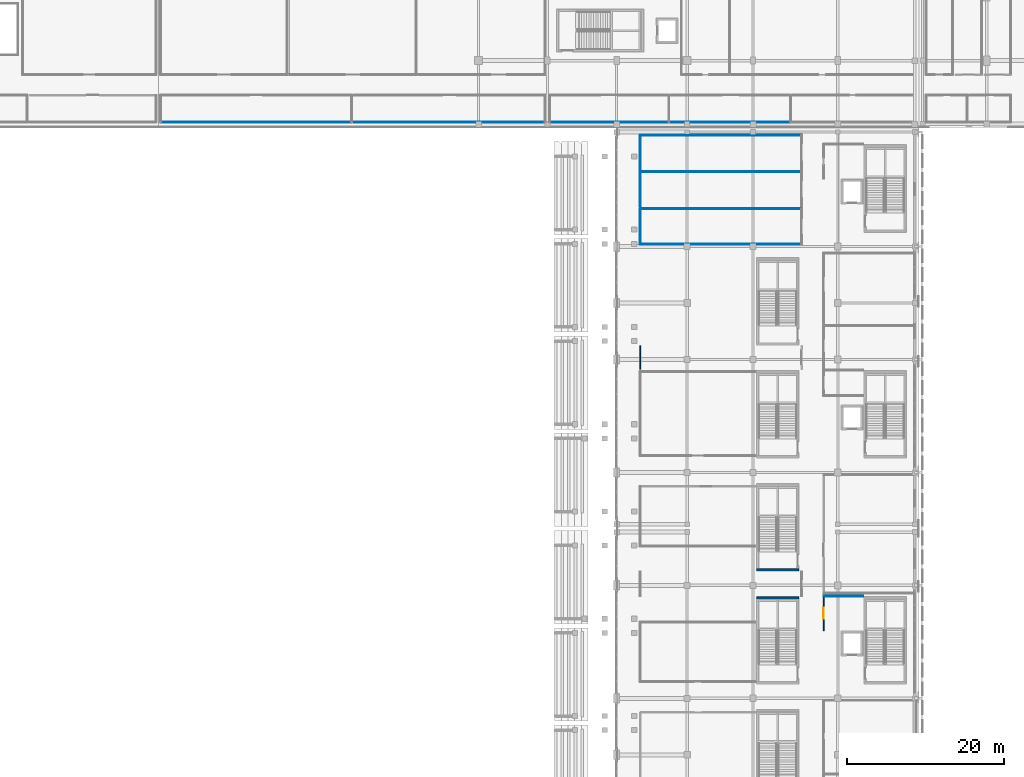
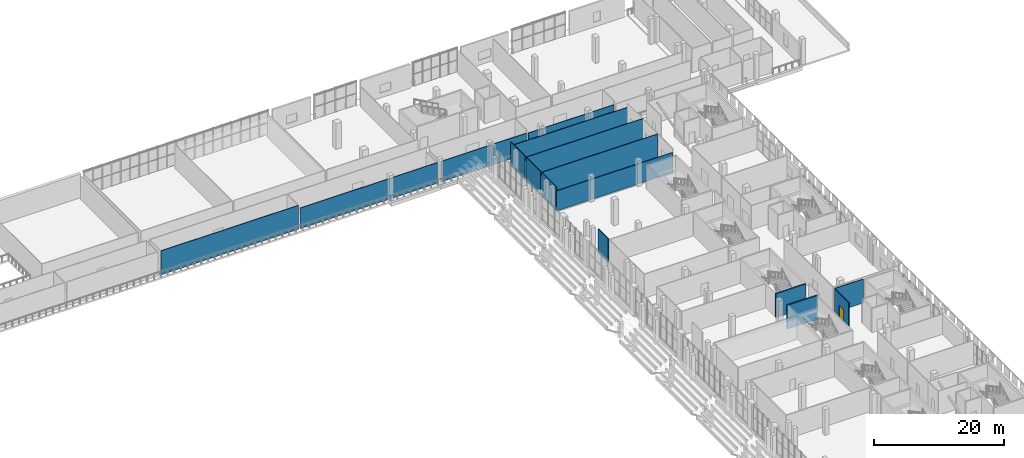
# One storey, part 99 of 142: 16 walls, 1 door, 1 opening.
"""IFC4 building model written with IfcOpenShell, lengths in metres."""

import ifcopenshell
import ifcopenshell.guid

model = None  # the IFC model being written
_history = None  # IfcOwnerHistory: only IFC2X3 demands one
_inside = {}  # id of a spatial element -> (the spatial element, [elements in it])
_under = {}  # id of a project, library or spatial element -> (it, [spatial elements below it])
_declared = {}  # id of a project -> (the project, [libraries it declares])
_typed = {}  # id of a type object -> (the type object, [elements of that type])
_made_of = {}  # id of a material, layer set ... -> (it, [elements and type objects made of it])


def new_model(schema):
    """Start an empty IFC model of exactly this schema.

    Asked for "IFC4X3", IfcOpenShell would pick the latest addendum, in which some entities
    have other attributes; the version numbers below select the first issue.
    IFC2X3 requires an IfcOwnerHistory on every rooted entity: one is made here for all.
    """
    global model, _history
    if schema == "IFC4X3":
        model = ifcopenshell.file(schema_version=(4, 3, 0, 0))
    else:
        model = ifcopenshell.file(schema=schema)
    _inside.clear()
    _under.clear()
    _declared.clear()
    _typed.clear()
    _made_of.clear()
    _history = None
    if model.schema == "IFC2X3":
        org = make("IfcOrganization", Name="unknown")
        user = make(
            "IfcPersonAndOrganization",
            ThePerson=make("IfcPerson", FamilyName="unknown"),
            TheOrganization=org,
        )
        app = make(
            "IfcApplication",
            ApplicationDeveloper=org,
            Version="unknown",
            ApplicationFullName="unknown",
            ApplicationIdentifier="unknown",
        )
        _history = make(
            "IfcOwnerHistory",
            OwningUser=user,
            OwningApplication=app,
            ChangeAction="ADDED",
            CreationDate=0,
        )
    return model


def make(cls, **values):
    """One entity of the class cls with the attributes given. An attribute that is None is left unset."""
    return model.create_entity(
        cls, **{name: value for name, value in values.items() if value is not None}
    )


def rooted(cls, **values):
    """An entity with a GlobalId (a new one), such as an element, a storey or a relation."""
    return make(cls, GlobalId=ifcopenshell.guid.new(), OwnerHistory=_history, **values)


def si_unit(unit_type, name, prefix=None):
    """IfcSIUnit, for example si_unit("LENGTHUNIT", "METRE", prefix="MILLI")."""
    return make("IfcSIUnit", UnitType=unit_type, Prefix=prefix, Name=name)


def assignment(units):
    """IfcUnitAssignment: the units of a project."""
    return None if units is None else make("IfcUnitAssignment", Units=units)


def point(xyz):
    """IfcCartesianPoint."""
    return None if xyz is None else make("IfcCartesianPoint", Coordinates=xyz)


def direction(xyz):
    """IfcDirection."""
    return None if xyz is None else make("IfcDirection", DirectionRatios=xyz)


def frame(location, z_axis=None, x_axis=None):
    """IfcAxis2Placement3D, a coordinate frame: its origin and axes. An axis left out is left unset."""
    return make(
        "IfcAxis2Placement3D",
        Location=point(location),
        Axis=direction(z_axis),
        RefDirection=direction(x_axis),
    )


def frame_2d(location, x_axis=None):
    """IfcAxis2Placement2D, a coordinate frame in the plane: its origin and x axis."""
    return make(
        "IfcAxis2Placement2D", Location=point(location), RefDirection=direction(x_axis)
    )


def origin():
    """The frame at (0, 0, 0) with its axes left unset."""
    return frame((0.0, 0.0, 0.0))


def place(relative_to, where):
    """IfcLocalPlacement: puts the frame where relative to a parent placement (None: the world)."""
    return make(
        "IfcLocalPlacement", PlacementRelTo=relative_to, RelativePlacement=where
    )


def context(
    kind, dimensions, precision=None, world=None, true_north=None, identifier=None
):
    """IfcGeometricRepresentationContext, for example the 3D "Model" context."""
    return make(
        "IfcGeometricRepresentationContext",
        ContextIdentifier=identifier,
        ContextType=kind,
        CoordinateSpaceDimension=dimensions,
        Precision=precision,
        WorldCoordinateSystem=world,
        TrueNorth=true_north,
    )


def subcontext(parent, identifier, kind, view, scale=None):
    """IfcGeometricRepresentationSubContext, for example "Body" below "Model"."""
    return make(
        "IfcGeometricRepresentationSubContext",
        ContextIdentifier=identifier,
        ContextType=kind,
        ParentContext=parent,
        TargetScale=scale,
        TargetView=view,
    )


def project(units=None, contexts=None):
    """IfcProject with its units and contexts."""
    return rooted(
        "IfcProject",
        Name="project",
        RepresentationContexts=contexts,
        UnitsInContext=assignment(units),
    )


def spatial(cls, under=None, at=None, **own):
    """A site, building, storey or space (cls), placed at a placement, below another one or the project."""
    s = rooted(cls, ObjectPlacement=at, **own)
    if under is not None:
        _under.setdefault(under.id(), (under, []))[1].append(s)
    return s


def profile(cls, at=None, kind="AREA", **sizes):
    """A parametric profile (cls). Its sizes go by their IFC names, for example OverallWidth=200.0."""
    return make(cls, ProfileType=kind, Position=at, **sizes)


def rectangle(**sizes):
    """IfcRectangleProfileDef."""
    return profile("IfcRectangleProfileDef", **sizes)


def extrude(swept, where, along, depth):
    """IfcExtrudedAreaSolid: the profile swept, set in the frame where, extruded along a direction by depth."""
    return make(
        "IfcExtrudedAreaSolid",
        SweptArea=swept,
        Position=where,
        ExtrudedDirection=direction(along),
        Depth=depth,
    )


def shape(context_of_items, identifier, shape_type, items):
    """IfcShapeRepresentation: the items that make up one representation, for example the "Body"."""
    return make(
        "IfcShapeRepresentation",
        ContextOfItems=context_of_items,
        RepresentationIdentifier=identifier,
        RepresentationType=shape_type,
        Items=items,
    )


def material(Name=None, Category=None):
    """IfcMaterial."""
    return make("IfcMaterial", Name=Name, Category=Category)


def layer(
    of_material, thickness, ventilated=None, Name=None, Category=None, Priority=None
):
    """IfcMaterialLayer: one layer of a wall or slab, of a material (None: an air gap)."""
    return make(
        "IfcMaterialLayer",
        Material=of_material,
        LayerThickness=thickness,
        IsVentilated=ventilated,
        Name=Name,
        Category=Category,
        Priority=Priority,
    )


def layer_set(layers, Name=None):
    """IfcMaterialLayerSet."""
    return make("IfcMaterialLayerSet", MaterialLayers=layers, LayerSetName=Name)


def made_of(thing, what):
    """Note that an element or type object is made of a material, layer set ...; save() writes the relation."""
    if what is not None:
        _made_of.setdefault(what.id(), (what, []))[1].append(thing)
    return thing


def type_object(cls, material=None, **own):
    """A type object (cls), such as IfcWallType, which elements share."""
    return made_of(rooted(cls, **own), material)


def element(
    cls,
    number,
    at=None,
    inside=None,
    cuts=None,
    type_object=None,
    material=None,
    context=None,
    identifier="Body",
    shape_type=None,
    held_by="IfcProductDefinitionShape",
    body=None,
    shapes=None,
    **own,
):
    """One element of the class cls, such as IfcWall. Its Tag is "e" and its number.

    at: its placement. inside: the storey or other place that contains it. cuts: it is an
    opening in that element (IfcRelVoidsElement). A single representation is given by context,
    identifier, shape_type and body (its items); several are given by shapes. held_by: the class
    of the entity that holds the representations. save() writes the other relations.
    """
    e = rooted(cls, Tag="e%d" % number, ObjectPlacement=at, **own)
    if body is not None:
        shapes = [shape(context, identifier, shape_type, body)]
    if shapes is not None:
        e.Representation = make(held_by, Representations=shapes)
    if inside is not None:
        _inside.setdefault(inside.id(), (inside, []))[1].append(e)
    if cuts is not None:
        rooted(
            "IfcRelVoidsElement", RelatingBuildingElement=cuts, RelatedOpeningElement=e
        )
    if type_object is not None:
        _typed.setdefault(type_object.id(), (type_object, []))[1].append(e)
    return made_of(e, material)


def fill(opening, filler):
    """IfcRelFillsElement: the door or window that sits in an opening."""
    return rooted(
        "IfcRelFillsElement",
        RelatingOpeningElement=opening,
        RelatedBuildingElement=filler,
    )


def aggregate(whole, parts):
    """IfcRelAggregates: a whole, such as a stair, and the parts it consists of."""
    return rooted("IfcRelAggregates", RelatingObject=whole, RelatedObjects=parts)


def save(model, path):
    """Write the relations noted so far, then the file.

    IfcRelAggregates (storeys below a building ...), IfcRelContainedInSpatialStructure (elements
    in a storey), IfcRelDefinesByType, IfcRelAssociatesMaterial and IfcRelDeclares: one each for
    every whole, place, type object, material and project.
    """
    for whole, parts in _under.values():
        aggregate(whole, parts)
    for where, things in _inside.values():
        rooted(
            "IfcRelContainedInSpatialStructure",
            RelatedElements=things,
            RelatingStructure=where,
        )
    for kind, things in _typed.values():
        rooted("IfcRelDefinesByType", RelatedObjects=things, RelatingType=kind)
    for what, things in _made_of.values():
        rooted("IfcRelAssociatesMaterial", RelatedObjects=things, RelatingMaterial=what)
    for by, libraries in _declared.values():
        rooted("IfcRelDeclares", RelatingContext=by, RelatedDefinitions=libraries)
    model.write(path)


model = new_model("IFC4")

# Units and contexts
model_context = context("Model", 3, precision=1e-05, world=origin(), true_north=direction((0.0, 1.0)))
body_context = subcontext(model_context, "Body", "Model", "MODEL_VIEW")
ifc_project = project(units=[si_unit("LENGTHUNIT", "METRE"), si_unit("AREAUNIT", "SQUARE_METRE"), si_unit("VOLUMEUNIT", "CUBIC_METRE"), si_unit("PLANEANGLEUNIT", "RADIAN"), si_unit("MASSUNIT", "GRAM", prefix="KILO")], contexts=[model_context])

# Site, building, storey
site_placement = place(None, origin())
site = spatial("IfcSite", under=ifc_project, at=site_placement, CompositionType="ELEMENT")
building_placement = place(site_placement, origin())
building = spatial("IfcBuilding", under=site, at=building_placement, Name="Koshinbarg Plaza Stadium", CompositionType="ELEMENT")
storey_placement = place(building_placement, frame((0.0, 0.0, 10.199951171875)))
storey = spatial("IfcBuildingStorey", under=building, at=storey_placement, Name="L02", CompositionType="ELEMENT", Elevation=10.199951171875)

# Walls
ifc_material_1 = material(Name="Concrete C40/50", Category="concrete")
ifc_layer_1 = layer(ifc_material_1, 0.25)
ifc_layer_set_1 = layer_set([ifc_layer_1], Name="Concrete C40/50")
wall_type_1 = type_object("IfcWallType", Name="WL-CORE-250", PredefinedType="SHEAR", material=ifc_layer_set_1)
for number, where, z_axis, x_axis, name in (
    (1, (203.6201171875, 67.125, 0.0), (0.0, 0.0, 1.0), (-1.0, 0.0, 0.0), "L02 vomitory stair shear wall VX09-far IWL-L02-0491"),
    (2, (198.25, 70.675048828125, 0.0), (0.0, 0.0, 1.0), (1.0, 0.0, 0.0), "L02 vomitory stair shear wall VX10-near IWL-L02-0506"),
):
    element("IfcWall", number, at=place(storey_placement, frame(where, z_axis=z_axis, x_axis=x_axis)), inside=storey, type_object=wall_type_1, Name=name, PredefinedType="SHEAR", context=body_context, shape_type="SweptSolid", body=[
        extrude(rectangle(XDim=5.3701171875, YDim=0.25, at=frame_2d((2.68505859375, 0.0))), origin(), (0.0, 0.0, 1.0), 4.47998046875),
    ])
ifc_material_2 = material(Name="Gypsum board metal-stud acoustic partition")
ifc_layer_2 = layer(ifc_material_2, 0.1201171875)
ifc_layer_set_2 = layer_set([ifc_layer_2], Name="Gypsum board metal-stud acoustic partition")
wall_type_2 = type_object("IfcWallType", Name="WL-PART-120", PredefinedType="PARTITIONING", material=ifc_layer_set_2)
wall_1_placement = place(storey_placement, frame((211.8701171875, 67.330078125, 0.0), z_axis=(0.0, 0.0, 1.0), x_axis=(-1.0, 0.0, 0.0)))
element("IfcWall", 3, at=wall_1_placement, inside=storey, type_object=wall_type_2, Name="L02 interior partition L02-92-north IWL-L02-1711", PredefinedType="PARTITIONING", context=body_context, shape_type="SweptSolid", body=[
    extrude(rectangle(XDim=5.070068359375, YDim=0.1201171875, at=frame_2d((2.53515625, 0.0))), origin(), (0.0, 0.0, 1.0), 4.47998046875),
])

# Wall, opening, door
wall_2_placement = place(storey_placement, frame((206.800048828125, 67.330078125, 0.0), z_axis=(0.0, 0.0, 1.0), x_axis=(0.0, -1.0, 0.0)))
wall_2 = element("IfcWall", 4, at=wall_2_placement, inside=storey, type_object=wall_type_2, Name="L02 interior partition L02-92-west IWL-L02-1712", PredefinedType="PARTITIONING", context=body_context, shape_type="SweptSolid", body=[
    extrude(rectangle(XDim=4.400146484375, YDim=0.1201171875, at=frame_2d((2.2001953125, 0.0))), origin(), (0.0, 0.0, 1.0), 4.47998046875),
])
opening_placement = place(wall_2_placement, frame((1.5, 0.0, 0.0)))
opening = element("IfcOpeningElement", 5, at=opening_placement, cuts=wall_2, Name="Opening D-0579", PredefinedType="OPENING", context=body_context, shape_type="SweptSolid", body=[
    extrude(rectangle(XDim=1.39990234375, YDim=2.199951171875, at=frame_2d((0.699951171875, 1.10009765625))), frame((0.0, 0.070068359375, 0.0), z_axis=(0.0, -1.0, 0.0), x_axis=(1.0, 0.0, 0.0)), (0.0, 0.0, 1.0), 0.14013671875),
])
ifc_material_3 = material(Name="Stainless-clad solid-core timber double fire door", Category="wood")
door_type = type_object("IfcDoorType", Name="DR-INT-1400x2200", OperationType="NOTDEFINED", PredefinedType="DOOR", material=ifc_material_3)
door_placement = place(opening_placement, origin())
door = element("IfcDoor", 6, at=door_placement, inside=storey, type_object=door_type, Name="L02 East Catering Kitchen door D-0579", OperationType="DOUBLE_DOOR_SINGLE_SWING", OverallHeight=2.199951171875, OverallWidth=1.39990234375, PredefinedType="DOOR", context=body_context, shape_type="SweptSolid", body=[
    extrude(rectangle(XDim=1.39990234375, YDim=2.199951171875, at=frame_2d((0.699951171875, 1.10009765625))), frame((0.0, 0.02490234375, 0.0), z_axis=(0.0, -1.0, 0.0), x_axis=(1.0, 0.0, 0.0)), (0.0, 0.0, 1.0), 0.050048828125),
])
fill(opening, door)

# Walls
wall_3_placement = place(storey_placement, frame((183.39990234375, 112.169921875, 0.0), z_axis=(0.0, 0.0, 1.0), x_axis=(1.0, 0.0, 0.0)))
element("IfcWall", 7, at=wall_3_placement, inside=storey, type_object=wall_type_2, Name="L02 interior partition L02-99-south IWL-L02-1728", PredefinedType="PARTITIONING", context=body_context, shape_type="SweptSolid", body=[
    extrude(rectangle(XDim=20.60009765625, YDim=0.1201171875, at=frame_2d((10.300048828125, 0.0))), origin(), (0.0, 0.0, 1.0), 3.760009765625),
])
wall_4_placement = place(storey_placement, frame((204.0, 116.7099609375, 0.0), z_axis=(0.0, 0.0, 1.0), x_axis=(-1.0, 0.0, 0.0)))
element("IfcWall", 8, at=wall_4_placement, inside=storey, type_object=wall_type_2, Name="L02 interior partition L02-99-north IWL-L02-1730", PredefinedType="PARTITIONING", context=body_context, shape_type="SweptSolid", body=[
    extrude(rectangle(XDim=20.60009765625, YDim=0.1201171875, at=frame_2d((10.300048828125, 0.0))), origin(), (0.0, 0.0, 1.0), 4.47998046875),
])
wall_5_placement = place(storey_placement, frame((183.39990234375, 116.7099609375, 0.0), z_axis=(0.0, 0.0, 1.0), x_axis=(0.0, -1.0, 0.0)))
element("IfcWall", 9, at=wall_5_placement, inside=storey, type_object=wall_type_2, Name="L02 interior partition L02-99-west IWL-L02-1731", PredefinedType="PARTITIONING", context=body_context, shape_type="SweptSolid", body=[
    extrude(rectangle(XDim=4.5400390625, YDim=0.1201171875, at=frame_2d((2.27001953125, 0.0))), origin(), (0.0, 0.0, 1.0), 4.47998046875),
])
wall_6_placement = place(storey_placement, frame((204.0, 121.407470703125, 0.0), z_axis=(0.0, 0.0, 1.0), x_axis=(-1.0, 0.0, 0.0)))
element("IfcWall", 10, at=wall_6_placement, inside=storey, type_object=wall_type_2, Name="L02 interior partition L02-100-north IWL-L02-1733", PredefinedType="PARTITIONING", context=body_context, shape_type="SweptSolid", body=[
    extrude(rectangle(XDim=20.60009765625, YDim=0.1201171875, at=frame_2d((10.300048828125, 0.0))), origin(), (0.0, 0.0, 1.0), 4.47998046875),
])
wall_7_placement = place(storey_placement, frame((183.39990234375, 121.407470703125, 0.0), z_axis=(0.0, 0.0, 1.0), x_axis=(0.0, -1.0, 0.0)))
element("IfcWall", 11, at=wall_7_placement, inside=storey, type_object=wall_type_2, Name="L02 interior partition L02-100-west IWL-L02-1734", PredefinedType="PARTITIONING", context=body_context, shape_type="SweptSolid", body=[
    extrude(rectangle(XDim=4.3974609375, YDim=0.1201171875, at=frame_2d((2.19873046875, 0.0))), origin(), (0.0, 0.0, 1.0), 4.47998046875),
])
wall_8_placement = place(storey_placement, frame((204.0, 126.10498046875, 0.0), z_axis=(0.0, 0.0, 1.0), x_axis=(-1.0, 0.0, 0.0)))
element("IfcWall", 12, at=wall_8_placement, inside=storey, type_object=wall_type_2, Name="L02 interior partition L02-101-north IWL-L02-1736", PredefinedType="PARTITIONING", context=body_context, shape_type="SweptSolid", body=[
    extrude(rectangle(XDim=20.60009765625, YDim=0.1201171875, at=frame_2d((10.300048828125, 0.0))), origin(), (0.0, 0.0, 1.0), 3.760009765625),
])
wall_9_placement = place(storey_placement, frame((183.39990234375, 126.10498046875, 0.0), z_axis=(0.0, 0.0, 1.0), x_axis=(0.0, -1.0, 0.0)))
element("IfcWall", 13, at=wall_9_placement, inside=storey, type_object=wall_type_2, Name="L02 interior partition L02-101-west IWL-L02-1737", PredefinedType="PARTITIONING", context=body_context, shape_type="SweptSolid", body=[
    extrude(rectangle(XDim=4.3974609375, YDim=0.1201171875, at=frame_2d((2.19873046875, 0.0))), origin(), (0.0, 0.0, 1.0), 4.47998046875),
])
wall_10_placement = place(storey_placement, frame((122.27001953125, 127.7451171875, 0.0), z_axis=(0.0, 0.0, 1.0), x_axis=(1.0, 0.0, 0.0)))
element("IfcWall", 14, at=wall_10_placement, inside=storey, type_object=wall_type_2, Name="L02 interior partition L02-112-south IWL-L02-1768", PredefinedType="PARTITIONING", context=body_context, shape_type="SweptSolid", body=[
    extrude(rectangle(XDim=24.3798828125, YDim=0.1201171875, at=frame_2d((12.18994140625, 0.0))), origin(), (0.0, 0.0, 1.0), 4.47998046875),
])
wall_11_placement = place(storey_placement, frame((146.949951171875, 127.7451171875, 0.0), z_axis=(0.0, 0.0, 1.0), x_axis=(1.0, 0.0, 0.0)))
element("IfcWall", 15, at=wall_11_placement, inside=storey, type_object=wall_type_2, Name="L02 interior partition L02-113-south IWL-L02-1772", PredefinedType="PARTITIONING", context=body_context, shape_type="SweptSolid", body=[
    extrude(rectangle(XDim=24.380126953125, YDim=0.1201171875, at=frame_2d((12.18994140625, 0.0))), origin(), (0.0, 0.0, 1.0), 3.860107421875),
])
wall_12_placement = place(storey_placement, frame((171.8701171875, 127.7451171875, 0.0), z_axis=(0.0, 0.0, 1.0), x_axis=(1.0, 0.0, 0.0)))
element("IfcWall", 16, at=wall_12_placement, inside=storey, type_object=wall_type_2, Name="L02 interior partition L02-117-south IWL-L02-1782", PredefinedType="PARTITIONING", context=body_context, shape_type="SweptSolid", body=[
    extrude(rectangle(XDim=15.211669921875, YDim=0.1201171875, at=frame_2d((7.60595703125, 0.0))), origin(), (0.0, 0.0, 1.0), 3.860107421875),
])
wall_13_placement = place(storey_placement, frame((187.381591796875, 127.7451171875, 0.0), z_axis=(0.0, 0.0, 1.0), x_axis=(1.0, 0.0, 0.0)))
element("IfcWall", 17, at=wall_13_placement, inside=storey, type_object=wall_type_2, Name="L02 interior partition L02-118-south IWL-L02-1786", PredefinedType="PARTITIONING", context=body_context, shape_type="SweptSolid", body=[
    extrude(rectangle(XDim=15.211669921875, YDim=0.1201171875, at=frame_2d((7.60595703125, 0.0))), origin(), (0.0, 0.0, 1.0), 3.760009765625),
])
ifc_material_4 = material(Name="Double-layer gypsum acoustic suite partition")
ifc_layer_3 = layer(ifc_material_4, 0.14990234375)
ifc_layer_set_3 = layer_set([ifc_layer_3], Name="Double-layer gypsum acoustic suite partition")
wall_type_3 = type_object("IfcWallType", Name="WL-PART-150", PredefinedType="PARTITIONING", material=ifc_layer_set_3)
wall_14_placement = place(storey_placement, frame((183.39990234375, 99.27001953125, 0.0), z_axis=(0.0, 0.0, 1.0), x_axis=(0.0, -1.0, 0.0)))
element("IfcWall", 18, at=wall_14_placement, inside=storey, type_object=wall_type_3, Name="L02 interior partition L02-95-west IWL-L02-1720", PredefinedType="PARTITIONING", context=body_context, shape_type="SweptSolid", body=[
    extrude(rectangle(XDim=3.029296875, YDim=0.14990234375, at=frame_2d((1.5146484375, 0.0))), origin(), (0.0, 0.0, 1.0), 4.47998046875),
])

save(model, "model.ifc")
